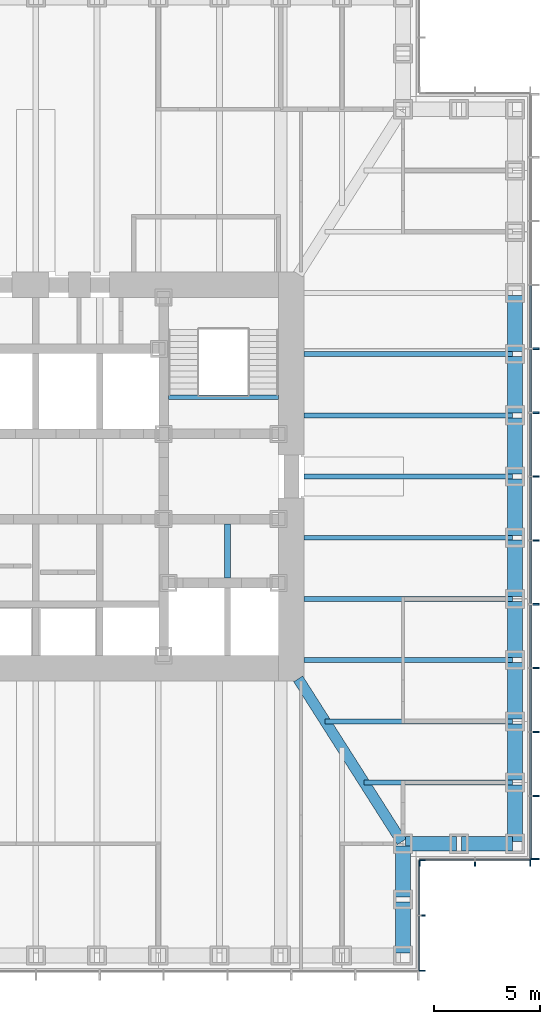
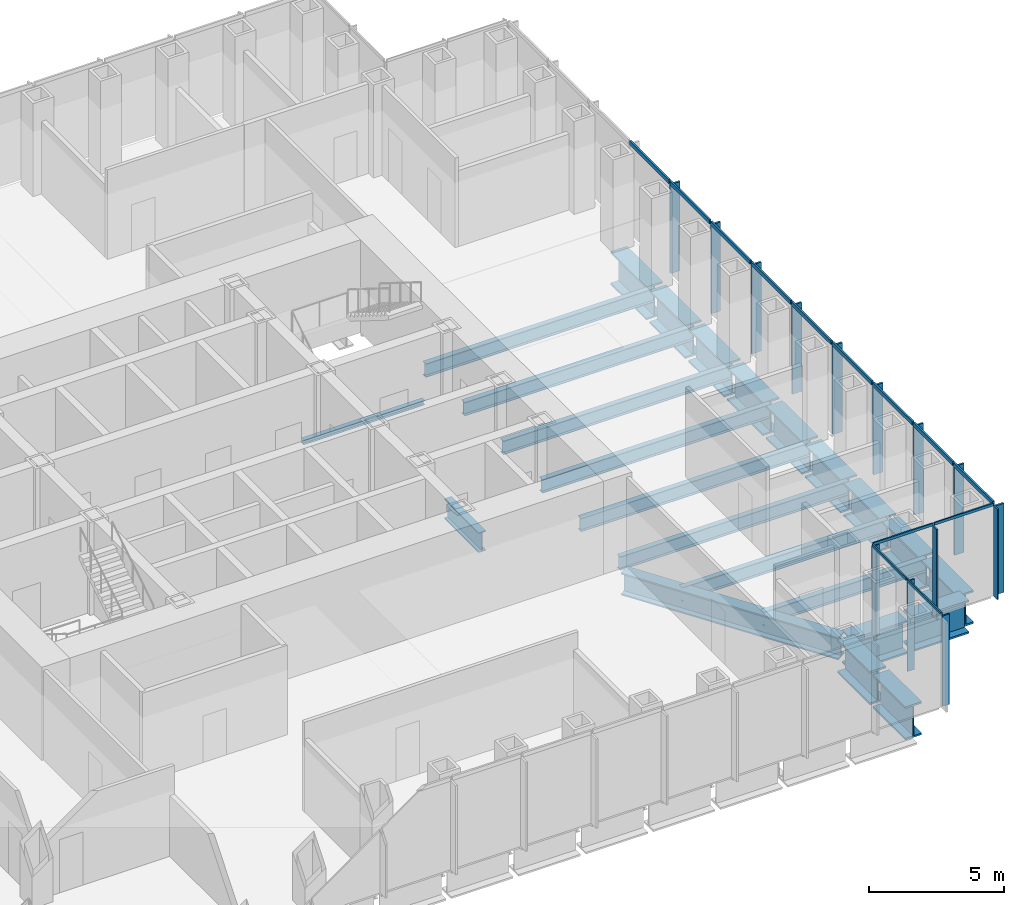
# One storey, part 4 of 17: 28 members, 24 beams, 3 elements without a shape of their own.
"""IFC4 building model written with IfcOpenShell, lengths in metres."""

from ifc_helpers import new_model, si_unit, direction, frame, origin, origin_2d, place, context, subcontext, project, spatial, rectangle, i_section, extrude, material, material_profile, profile_set, type_object, element, aggregate, save


model = new_model("IFC4")

# Units and contexts
model_context = context("Model", 3, precision=1e-05, world=origin(), true_north=direction((0.0, 1.0)))
body_context = subcontext(model_context, "Body", "Model", "MODEL_VIEW")
ifc_project = project(units=[si_unit("LENGTHUNIT", "METRE"), si_unit("AREAUNIT", "SQUARE_METRE"), si_unit("VOLUMEUNIT", "CUBIC_METRE"), si_unit("PLANEANGLEUNIT", "RADIAN"), si_unit("MASSUNIT", "GRAM", prefix="KILO")], contexts=[model_context])

# Site, building, storey
site_placement = place(None, origin())
site = spatial("IfcSite", under=ifc_project, at=site_placement, CompositionType="ELEMENT")
building_placement = place(site_placement, origin())
building = spatial("IfcBuilding", under=site, at=building_placement, Name="Daluyong Arena Tower", CompositionType="ELEMENT")
storey_placement = place(building_placement, frame((0.0, 0.0, 150.10009765625)))
storey = spatial("IfcBuildingStorey", under=building, at=storey_placement, Name="L33", CompositionType="ELEMENT", Elevation=150.10009765625)

# Curtain wall, members
ifc_material_1 = material(Name="Bronze anodised aluminium and glass", Category="aluminium")
curtain_wall_type_1 = type_object("IfcCurtainWallType", Name="Curtain wall CW2", PredefinedType="USERDEFINED", material=ifc_material_1)
curtain_wall_1_placement = place(storey_placement, origin())
curtain_wall_1 = element("IfcCurtainWall", 1, at=curtain_wall_1_placement, inside=storey, type_object=curtain_wall_type_1, Name="curtain wall L33 E", ObjectType="UNITISED CURTAIN WALL", PredefinedType="USERDEFINED")
ifc_material_2 = material(Name="Bronze anodised aluminium fin", Category="aluminium")
ifc_material_profile_1 = material_profile(ifc_material_2, rectangle(XDim=0.39990234375, YDim=0.080078125, at=origin_2d()))
ifc_profile_set_1 = profile_set([ifc_material_profile_1], Name="Bronze anodised aluminium fin")
member_type_1 = type_object("IfcMemberType", Name="CW2 bronze fin 400x80", PredefinedType="MULLION", material=ifc_profile_set_1)
member_1_placement = place(storey_placement, frame((79.449951171875, 62.0400390625, 0.0), z_axis=(0.0, 0.0, 1.0), x_axis=(-1.0, 0.0, 0.0)))
member_1 = element("IfcMember", 2, at=member_1_placement, type_object=member_type_1, Name="curtain wall L33 E fin 1", PredefinedType="MULLION", context=body_context, shape_type="SweptSolid", body=[
    extrude(rectangle(XDim=0.39990234375, YDim=0.080078125, at=origin_2d()), origin(), (0.0, 0.0, 1.0), 4.02001953125),
])
member_2_placement = place(storey_placement, frame((79.449951171875, 65.0, 0.0), z_axis=(0.0, 0.0, 1.0), x_axis=(-1.0, 0.0, 0.0)))
member_2 = element("IfcMember", 3, at=member_2_placement, type_object=member_type_1, Name="curtain wall L33 E fin 2", PredefinedType="MULLION", context=body_context, shape_type="SweptSolid", body=[
    extrude(rectangle(XDim=0.39990234375, YDim=0.080078125, at=origin_2d()), origin(), (0.0, 0.0, 1.0), 4.02001953125),
])
member_3_placement = place(storey_placement, frame((79.449951171875, 68.0, 0.0), z_axis=(0.0, 0.0, 1.0), x_axis=(-1.0, 0.0, 0.0)))
member_3 = element("IfcMember", 4, at=member_3_placement, type_object=member_type_1, Name="curtain wall L33 E fin 3", PredefinedType="MULLION", context=body_context, shape_type="SweptSolid", body=[
    extrude(rectangle(XDim=0.39990234375, YDim=0.080078125, at=origin_2d()), origin(), (0.0, 0.0, 1.0), 4.02001953125),
])
member_4_placement = place(storey_placement, frame((79.449951171875, 71.0, 0.0), z_axis=(0.0, 0.0, 1.0), x_axis=(-1.0, 0.0, 0.0)))
member_4 = element("IfcMember", 5, at=member_4_placement, type_object=member_type_1, Name="curtain wall L33 E fin 4", PredefinedType="MULLION", context=body_context, shape_type="SweptSolid", body=[
    extrude(rectangle(XDim=0.39990234375, YDim=0.080078125, at=origin_2d()), origin(), (0.0, 0.0, 1.0), 4.02001953125),
])
member_5_placement = place(storey_placement, frame((79.449951171875, 74.0, 0.0), z_axis=(0.0, 0.0, 1.0), x_axis=(-1.0, 0.0, 0.0)))
member_5 = element("IfcMember", 6, at=member_5_placement, type_object=member_type_1, Name="curtain wall L33 E fin 5", PredefinedType="MULLION", context=body_context, shape_type="SweptSolid", body=[
    extrude(rectangle(XDim=0.39990234375, YDim=0.080078125, at=origin_2d()), origin(), (0.0, 0.0, 1.0), 4.02001953125),
])
member_6_placement = place(storey_placement, frame((79.449951171875, 77.0, 0.0), z_axis=(0.0, 0.0, 1.0), x_axis=(-1.0, 0.0, 0.0)))
member_6 = element("IfcMember", 7, at=member_6_placement, type_object=member_type_1, Name="curtain wall L33 E fin 6", PredefinedType="MULLION", context=body_context, shape_type="SweptSolid", body=[
    extrude(rectangle(XDim=0.39990234375, YDim=0.080078125, at=origin_2d()), origin(), (0.0, 0.0, 1.0), 4.02001953125),
])
member_7_placement = place(storey_placement, frame((79.449951171875, 80.0, 0.0), z_axis=(0.0, 0.0, 1.0), x_axis=(-1.0, 0.0, 0.0)))
member_7 = element("IfcMember", 8, at=member_7_placement, type_object=member_type_1, Name="curtain wall L33 E fin 7", PredefinedType="MULLION", context=body_context, shape_type="SweptSolid", body=[
    extrude(rectangle(XDim=0.39990234375, YDim=0.080078125, at=origin_2d()), origin(), (0.0, 0.0, 1.0), 4.02001953125),
])
member_8_placement = place(storey_placement, frame((79.449951171875, 83.0, 0.0), z_axis=(0.0, 0.0, 1.0), x_axis=(-1.0, 0.0, 0.0)))
member_8 = element("IfcMember", 9, at=member_8_placement, type_object=member_type_1, Name="curtain wall L33 E fin 8", PredefinedType="MULLION", context=body_context, shape_type="SweptSolid", body=[
    extrude(rectangle(XDim=0.39990234375, YDim=0.080078125, at=origin_2d()), origin(), (0.0, 0.0, 1.0), 4.02001953125),
])
member_9_placement = place(storey_placement, frame((79.449951171875, 86.0, 0.0), z_axis=(0.0, 0.0, 1.0), x_axis=(-1.0, 0.0, 0.0)))
member_9 = element("IfcMember", 10, at=member_9_placement, type_object=member_type_1, Name="curtain wall L33 E fin 9", PredefinedType="MULLION", context=body_context, shape_type="SweptSolid", body=[
    extrude(rectangle(XDim=0.39990234375, YDim=0.080078125, at=origin_2d()), origin(), (0.0, 0.0, 1.0), 4.02001953125),
])
ifc_material_3 = material(Name="Bronze anodised aluminium", Category="aluminium")
ifc_material_profile_2 = material_profile(ifc_material_3, rectangle(XDim=0.080078125, YDim=0.179931640625, at=origin_2d()))
ifc_profile_set_2 = profile_set([ifc_material_profile_2], Name="Bronze anodised aluminium")
member_type_2 = type_object("IfcMemberType", Name="CW2 stack transom 180x80", PredefinedType="USERDEFINED", material=ifc_profile_set_2)
member_10_placement = place(storey_placement, frame((79.25, 62.080078125, 4.10986328125), z_axis=(0.0, 1.0, 0.0), x_axis=(-1.0, 0.0, 0.0)))
member_10 = element("IfcMember", 11, at=member_10_placement, type_object=member_type_2, Name="curtain wall L33 E transom 1", ObjectType="TRANSOM", PredefinedType="USERDEFINED", context=body_context, shape_type="SweptSolid", body=[
    extrude(rectangle(XDim=0.080078125, YDim=0.179931640625, at=origin_2d()), origin(), (0.0, 0.0, 1.0), 2.8798828125),
])
member_11_placement = place(storey_placement, frame((79.25, 65.0400390625, 4.10986328125), z_axis=(0.0, 1.0, 0.0), x_axis=(-1.0, 0.0, 0.0)))
member_11 = element("IfcMember", 12, at=member_11_placement, type_object=member_type_2, Name="curtain wall L33 E transom 2", ObjectType="TRANSOM", PredefinedType="USERDEFINED", context=body_context, shape_type="SweptSolid", body=[
    extrude(rectangle(XDim=0.080078125, YDim=0.179931640625, at=origin_2d()), origin(), (0.0, 0.0, 1.0), 2.919921875),
])
member_12_placement = place(storey_placement, frame((79.25, 68.0400390625, 4.10986328125), z_axis=(0.0, 1.0, 0.0), x_axis=(-1.0, 0.0, 0.0)))
member_12 = element("IfcMember", 13, at=member_12_placement, type_object=member_type_2, Name="curtain wall L33 E transom 3", ObjectType="TRANSOM", PredefinedType="USERDEFINED", context=body_context, shape_type="SweptSolid", body=[
    extrude(rectangle(XDim=0.080078125, YDim=0.179931640625, at=origin_2d()), origin(), (0.0, 0.0, 1.0), 2.919921875),
])
member_13_placement = place(storey_placement, frame((79.25, 71.0400390625, 4.10986328125), z_axis=(0.0, 1.0, 0.0), x_axis=(-1.0, 0.0, 0.0)))
member_13 = element("IfcMember", 14, at=member_13_placement, type_object=member_type_2, Name="curtain wall L33 E transom 4", ObjectType="TRANSOM", PredefinedType="USERDEFINED", context=body_context, shape_type="SweptSolid", body=[
    extrude(rectangle(XDim=0.080078125, YDim=0.179931640625, at=origin_2d()), origin(), (0.0, 0.0, 1.0), 2.919921875),
])
member_14_placement = place(storey_placement, frame((79.25, 74.0400390625, 4.10986328125), z_axis=(0.0, 1.0, 0.0), x_axis=(-1.0, 0.0, 0.0)))
member_14 = element("IfcMember", 15, at=member_14_placement, type_object=member_type_2, Name="curtain wall L33 E transom 5", ObjectType="TRANSOM", PredefinedType="USERDEFINED", context=body_context, shape_type="SweptSolid", body=[
    extrude(rectangle(XDim=0.080078125, YDim=0.179931640625, at=origin_2d()), origin(), (0.0, 0.0, 1.0), 2.919921875),
])
member_15_placement = place(storey_placement, frame((79.25, 77.0400390625, 4.10986328125), z_axis=(0.0, 1.0, 0.0), x_axis=(-1.0, 0.0, 0.0)))
member_15 = element("IfcMember", 16, at=member_15_placement, type_object=member_type_2, Name="curtain wall L33 E transom 6", ObjectType="TRANSOM", PredefinedType="USERDEFINED", context=body_context, shape_type="SweptSolid", body=[
    extrude(rectangle(XDim=0.080078125, YDim=0.179931640625, at=origin_2d()), origin(), (0.0, 0.0, 1.0), 2.919921875),
])
member_16_placement = place(storey_placement, frame((79.25, 80.0400390625, 4.10986328125), z_axis=(0.0, 1.0, 0.0), x_axis=(-1.0, 0.0, 0.0)))
member_16 = element("IfcMember", 17, at=member_16_placement, type_object=member_type_2, Name="curtain wall L33 E transom 7", ObjectType="TRANSOM", PredefinedType="USERDEFINED", context=body_context, shape_type="SweptSolid", body=[
    extrude(rectangle(XDim=0.080078125, YDim=0.179931640625, at=origin_2d()), origin(), (0.0, 0.0, 1.0), 2.919921875),
])
member_17_placement = place(storey_placement, frame((79.25, 83.0400390625, 4.10986328125), z_axis=(0.0, 1.0, 0.0), x_axis=(-1.0, 0.0, 0.0)))
member_17 = element("IfcMember", 18, at=member_17_placement, type_object=member_type_2, Name="curtain wall L33 E transom 8", ObjectType="TRANSOM", PredefinedType="USERDEFINED", context=body_context, shape_type="SweptSolid", body=[
    extrude(rectangle(XDim=0.080078125, YDim=0.179931640625, at=origin_2d()), origin(), (0.0, 0.0, 1.0), 2.919921875),
])
member_18_placement = place(storey_placement, frame((79.25, 86.0400390625, 4.10986328125), z_axis=(0.0, 1.0, 0.0), x_axis=(-1.0, 0.0, 0.0)))
member_18 = element("IfcMember", 19, at=member_18_placement, type_object=member_type_2, Name="curtain wall L33 E transom 9", ObjectType="TRANSOM", PredefinedType="USERDEFINED", context=body_context, shape_type="SweptSolid", body=[
    extrude(rectangle(XDim=0.080078125, YDim=0.179931640625, at=origin_2d()), origin(), (0.0, 0.0, 1.0), 2.919921875),
])
aggregate(curtain_wall_1, [member_1, member_2, member_3, member_4, member_5, member_6, member_7, member_8, member_9, member_10, member_11, member_12, member_13, member_14, member_15, member_16, member_17, member_18])

ifc_material_4 = material(Name="Bronze anodised aluminium and glass", Category="aluminium")
curtain_wall_type_2 = type_object("IfcCurtainWallType", Name="Curtain wall CW7", PredefinedType="USERDEFINED", material=ifc_material_4)
curtain_wall_2_placement = place(storey_placement, origin())
curtain_wall_2 = element("IfcCurtainWall", 20, at=curtain_wall_2_placement, inside=storey, type_object=curtain_wall_type_2, Name="curtain wall L33 SE-E", ObjectType="UNITISED CURTAIN WALL", PredefinedType="USERDEFINED")
ifc_material_5 = material(Name="Bronze anodised aluminium fin", Category="aluminium")
ifc_material_profile_3 = material_profile(ifc_material_5, rectangle(XDim=0.300048828125, YDim=0.06005859375, at=origin_2d()))
ifc_profile_set_3 = profile_set([ifc_material_profile_3], Name="Bronze anodised aluminium fin")
member_type_3 = type_object("IfcMemberType", Name="CW7 bronze fin 300x60", PredefinedType="MULLION", material=ifc_profile_set_3)
member_19_placement = place(storey_placement, frame((74.14990234375, 56.780029296875, 0.0), z_axis=(0.0, 0.0, 1.0), x_axis=(-1.0, 0.0, 0.0)))
member_19 = element("IfcMember", 21, at=member_19_placement, type_object=member_type_3, Name="curtain wall L33 SE-E fin 1", PredefinedType="MULLION", context=body_context, shape_type="SweptSolid", body=[
    extrude(rectangle(XDim=0.300048828125, YDim=0.06005859375, at=origin_2d()), origin(), (0.0, 0.0, 1.0), 4.079833984375),
])
member_20_placement = place(storey_placement, frame((74.14990234375, 59.375, 0.0), z_axis=(0.0, 0.0, 1.0), x_axis=(-1.0, 0.0, 0.0)))
member_20 = element("IfcMember", 22, at=member_20_placement, type_object=member_type_3, Name="curtain wall L33 SE-E fin 2", PredefinedType="MULLION", context=body_context, shape_type="SweptSolid", body=[
    extrude(rectangle(XDim=0.300048828125, YDim=0.06005859375, at=origin_2d()), origin(), (0.0, 0.0, 1.0), 4.079833984375),
])
member_21_placement = place(storey_placement, frame((74.14990234375, 61.969970703125, 0.0), z_axis=(0.0, 0.0, 1.0), x_axis=(-1.0, 0.0, 0.0)))
member_21 = element("IfcMember", 23, at=member_21_placement, type_object=member_type_3, Name="curtain wall L33 SE-E fin 3", PredefinedType="MULLION", context=body_context, shape_type="SweptSolid", body=[
    extrude(rectangle(XDim=0.300048828125, YDim=0.06005859375, at=origin_2d()), origin(), (0.0, 0.0, 1.0), 4.079833984375),
])

curtain_wall_3_placement = place(storey_placement, origin())
curtain_wall_3 = element("IfcCurtainWall", 24, at=curtain_wall_3_placement, inside=storey, type_object=curtain_wall_type_2, Name="curtain wall L33 SE-S", ObjectType="UNITISED CURTAIN WALL", PredefinedType="USERDEFINED")
member_22_placement = place(storey_placement, frame((74.030029296875, 61.85009765625, 0.0), z_axis=(0.0, 0.0, 1.0), x_axis=(0.0, 1.0, 0.0)))
member_22 = element("IfcMember", 25, at=member_22_placement, type_object=member_type_3, Name="curtain wall L33 SE-S fin 1", PredefinedType="MULLION", context=body_context, shape_type="SweptSolid", body=[
    extrude(rectangle(XDim=0.300048828125, YDim=0.06005859375, at=origin_2d()), origin(), (0.0, 0.0, 1.0), 4.079833984375),
])
member_23_placement = place(storey_placement, frame((76.625, 61.85009765625, 0.0), z_axis=(0.0, 0.0, 1.0), x_axis=(0.0, 1.0, 0.0)))
member_23 = element("IfcMember", 26, at=member_23_placement, type_object=member_type_3, Name="curtain wall L33 SE-S fin 2", PredefinedType="MULLION", context=body_context, shape_type="SweptSolid", body=[
    extrude(rectangle(XDim=0.300048828125, YDim=0.06005859375, at=origin_2d()), origin(), (0.0, 0.0, 1.0), 4.079833984375),
])
member_24_placement = place(storey_placement, frame((79.219970703125, 61.85009765625, 0.0), z_axis=(0.0, 0.0, 1.0), x_axis=(0.0, 1.0, 0.0)))
member_24 = element("IfcMember", 27, at=member_24_placement, type_object=member_type_3, Name="curtain wall L33 SE-S fin 3", PredefinedType="MULLION", context=body_context, shape_type="SweptSolid", body=[
    extrude(rectangle(XDim=0.300048828125, YDim=0.06005859375, at=origin_2d()), origin(), (0.0, 0.0, 1.0), 4.079833984375),
])

# Member
ifc_material_6 = material(Name="Bronze anodised aluminium", Category="aluminium")
ifc_material_profile_4 = material_profile(ifc_material_6, rectangle(XDim=0.06005859375, YDim=0.1201171875, at=origin_2d()))
ifc_profile_set_4 = profile_set([ifc_material_profile_4], Name="Bronze anodised aluminium")
member_type_4 = type_object("IfcMemberType", Name="CW7 stack transom 120x60", PredefinedType="USERDEFINED", material=ifc_profile_set_4)
member_25_placement = place(storey_placement, frame((74.0, 56.81005859375, 4.139892578125), z_axis=(0.0, 1.0, 0.0), x_axis=(-1.0, 0.0, 0.0)))
member_25 = element("IfcMember", 28, at=member_25_placement, type_object=member_type_4, Name="curtain wall L33 SE-E transom 1", ObjectType="TRANSOM", PredefinedType="USERDEFINED", context=body_context, shape_type="SweptSolid", body=[
    extrude(rectangle(XDim=0.06005859375, YDim=0.1201171875, at=origin_2d()), origin(), (0.0, 0.0, 1.0), 2.534912109375),
])

member_26_placement = place(storey_placement, frame((74.0, 59.405029296875, 4.139892578125), z_axis=(0.0, 1.0, 0.0), x_axis=(-1.0, 0.0, 0.0)))
member_26 = element("IfcMember", 29, at=member_26_placement, type_object=member_type_4, Name="curtain wall L33 SE-E transom 2", ObjectType="TRANSOM", PredefinedType="USERDEFINED", context=body_context, shape_type="SweptSolid", body=[
    extrude(rectangle(XDim=0.06005859375, YDim=0.1201171875, at=origin_2d()), origin(), (0.0, 0.0, 1.0), 2.534912109375),
])

aggregate(curtain_wall_2, [member_19, member_20, member_21, member_25, member_26])

member_27_placement = place(storey_placement, frame((74.06005859375, 62.0, 4.139892578125), z_axis=(1.0, 0.0, 0.0), x_axis=(0.0, 1.0, 0.0)))
member_27 = element("IfcMember", 30, at=member_27_placement, type_object=member_type_4, Name="curtain wall L33 SE-S transom 1", ObjectType="TRANSOM", PredefinedType="USERDEFINED", context=body_context, shape_type="SweptSolid", body=[
    extrude(rectangle(XDim=0.06005859375, YDim=0.1201171875, at=origin_2d()), origin(), (0.0, 0.0, 1.0), 2.534912109375),
])

member_28_placement = place(storey_placement, frame((76.655029296875, 62.0, 4.139892578125), z_axis=(1.0, 0.0, 0.0), x_axis=(0.0, 1.0, 0.0)))
member_28 = element("IfcMember", 31, at=member_28_placement, type_object=member_type_4, Name="curtain wall L33 SE-S transom 2", ObjectType="TRANSOM", PredefinedType="USERDEFINED", context=body_context, shape_type="SweptSolid", body=[
    extrude(rectangle(XDim=0.06005859375, YDim=0.1201171875, at=origin_2d()), origin(), (0.0, 0.0, 1.0), 2.534912109375),
])

aggregate(curtain_wall_3, [member_22, member_23, member_24, member_27, member_28])

# Beams
ifc_material_7 = material(Name="Steel ASTM A572 Grade 50", Category="steel")
ifc_material_profile_5 = material_profile(ifc_material_7, i_section(OverallWidth=0.5, OverallDepth=1.0, WebThickness=0.03, FlangeThickness=0.06, at=origin_2d()))
ifc_profile_set_5 = profile_set([ifc_material_profile_5], Name="Steel ASTM A572 Grade 50")
beam_type_1 = type_object("IfcBeamType", Name="Corner girder TB1000X500", PredefinedType="BEAM", material=ifc_profile_set_5)
beam_1_placement = place(storey_placement, frame((73.188232421875, 62.846923828125, -0.66015625), z_axis=(-0.536872006459, 0.843663705916, 0.0), x_axis=(-0.843663705916, -0.536872006459, 0.0)))
element("IfcBeam", 32, at=beam_1_placement, inside=storey, type_object=beam_type_1, Name="corner girder DG2", PredefinedType="BEAM", context=body_context, shape_type="SweptSolid", body=[
    extrude(i_section(OverallWidth=0.5, OverallDepth=1.0, WebThickness=0.03, FlangeThickness=0.06, at=origin_2d()), origin(), (0.0, 0.0, 1.0), 9.06396484375),
])
ifc_material_8 = material(Name="Steel ASTM A992 Grade 50", Category="steel")
ifc_material_profile_6 = material_profile(ifc_material_8, i_section(OverallWidth=0.22900390625, OverallDepth=0.612060546875, WebThickness=0.011962890625, FlangeThickness=0.01953125, at=origin_2d()))
ifc_profile_set_6 = profile_set([ifc_material_profile_6], Name="Steel ASTM A992 Grade 50")
beam_type_2 = type_object("IfcBeamType", Name="Floor beam W24X84", PredefinedType="BEAM", material=ifc_profile_set_6)
beam_2_placement = place(storey_placement, frame((78.385009765625, 65.625, -0.466064453125), z_axis=(-1.0, 0.0, 0.0), x_axis=(0.0, -1.0, 0.0)))
element("IfcBeam", 33, at=beam_2_placement, inside=storey, type_object=beam_type_2, Name="floor beam FB3", PredefinedType="BEAM", context=body_context, shape_type="SweptSolid", body=[
    extrude(i_section(OverallWidth=0.22900390625, OverallDepth=0.612060546875, WebThickness=0.011962890625, FlangeThickness=0.01953125, at=origin_2d()), origin(), (0.0, 0.0, 1.0), 6.964599609375),
])
beam_3_placement = place(storey_placement, frame((78.385009765625, 68.5, -0.466064453125), z_axis=(-1.0, 0.0, 0.0), x_axis=(0.0, -1.0, 0.0)))
element("IfcBeam", 34, at=beam_3_placement, inside=storey, type_object=beam_type_2, Name="floor beam FB3", PredefinedType="BEAM", context=body_context, shape_type="SweptSolid", body=[
    extrude(i_section(OverallWidth=0.22900390625, OverallDepth=0.612060546875, WebThickness=0.011962890625, FlangeThickness=0.01953125, at=origin_2d()), origin(), (0.0, 0.0, 1.0), 8.794189453125),
])
for number, where, z_axis, x_axis, name in (
    (35, (78.385009765625, 71.375, -0.466064453125), (-1.0, 0.0, 0.0), (0.0, -1.0, 0.0), "floor beam FB3"),
    (36, (78.385009765625, 74.25, -0.466064453125), (-1.0, 0.0, 0.0), (0.0, -1.0, 0.0), "floor beam FB3"),
    (37, (78.385009765625, 77.125, -0.466064453125), (-1.0, 0.0, 0.0), (0.0, -1.0, 0.0), "floor beam FB3"),
    (38, (78.385009765625, 80.0, -0.466064453125), (-1.0, 0.0, 0.0), (0.0, -1.0, 0.0), "floor beam FB3"),
    (39, (78.385009765625, 82.875, -0.466064453125), (-1.0, 0.0, 0.0), (0.0, -1.0, 0.0), "floor beam FB3"),
    (40, (78.385009765625, 85.75, -0.466064453125), (-1.0, 0.0, 0.0), (0.0, -1.0, 0.0), "floor beam FB3"),
):
    element("IfcBeam", number, at=place(storey_placement, frame(where, z_axis=z_axis, x_axis=x_axis)), inside=storey, type_object=beam_type_2, Name=name, PredefinedType="BEAM", context=body_context, shape_type="SweptSolid", body=[
        extrude(i_section(OverallWidth=0.22900390625, OverallDepth=0.612060546875, WebThickness=0.011962890625, FlangeThickness=0.01953125, at=origin_2d()), origin(), (0.0, 0.0, 1.0), 9.784912109375),
    ])
ifc_material_9 = material(Name="Steel ASTM A572 Grade 50", Category="steel")
ifc_material_profile_7 = material_profile(ifc_material_9, i_section(OverallWidth=0.300048828125, OverallDepth=0.89990234375, WebThickness=0.025, FlangeThickness=0.04, at=origin_2d()))
ifc_profile_set_7 = profile_set([ifc_material_profile_7], Name="Steel ASTM A572 Grade 50")
beam_type_3 = type_object("IfcBeamType", Name="Lift divider beam PG900X300", PredefinedType="BEAM", material=ifc_profile_set_7)
beam_4_placement = place(storey_placement, frame((65.0, 75.22509765625, -0.610107421875), z_axis=(0.0, 1.0, 0.0), x_axis=(-1.0, 0.0, 0.0)))
element("IfcBeam", 41, at=beam_4_placement, inside=storey, type_object=beam_type_3, Name="lift divider beam DB1", PredefinedType="BEAM", context=body_context, shape_type="SweptSolid", body=[
    extrude(i_section(OverallWidth=0.300048828125, OverallDepth=0.89990234375, WebThickness=0.025, FlangeThickness=0.04, at=origin_2d()), origin(), (0.0, 0.0, 1.0), 2.5498046875),
])
ifc_material_10 = material(Name="Steel ASTM A572 Grade 50", Category="steel")
ifc_material_profile_8 = material_profile(ifc_material_10, i_section(OverallWidth=0.699951171875, OverallDepth=1.5, WebThickness=0.04, FlangeThickness=0.08, at=origin_2d()))
ifc_profile_set_8 = profile_set([ifc_material_profile_8], Name="Steel ASTM A572 Grade 50")
beam_type_4 = type_object("IfcBeamType", Name="Spandrel Z2 PG1500X700", PredefinedType="SPANDREL", material=ifc_profile_set_8)
for number, where, z_axis, x_axis, name in (
    (42, (73.25, 57.614990234375, -0.91015625), (0.0, 1.0, 0.0), (-1.0, 0.0, 0.0), "spandrel z2 SB6"),
    (43, (73.25, 60.239990234375, -0.91015625), (0.0, 1.0, 0.0), (-1.0, 0.0, 0.0), "spandrel z2 SB6"),
    (44, (73.364990234375, 62.75, -0.91015625), (1.0, 0.0, 0.0), (0.0, 1.0, 0.0), "spandrel z2 SB6"),
    (45, (75.989990234375, 62.75, -0.91015625), (1.0, 0.0, 0.0), (0.0, 1.0, 0.0), "spandrel z2 SB6"),
):
    element("IfcBeam", number, at=place(storey_placement, frame(where, z_axis=z_axis, x_axis=x_axis)), inside=storey, type_object=beam_type_4, Name=name, PredefinedType="SPANDREL", context=body_context, shape_type="SweptSolid", body=[
        extrude(i_section(OverallWidth=0.699951171875, OverallDepth=1.5, WebThickness=0.04, FlangeThickness=0.08, at=origin_2d()), origin(), (0.0, 0.0, 1.0), 2.39501953125),
    ])
for number, where, z_axis, x_axis, name in (
    (46, (78.5, 62.864990234375, -0.91015625), (0.0, 1.0, 0.0), (-1.0, 0.0, 0.0), "spandrel z2 SB6"),
    (47, (78.5, 65.739990234375, -0.91015625), (0.0, 1.0, 0.0), (-1.0, 0.0, 0.0), "spandrel z2 SB6"),
    (48, (78.5, 68.614990234375, -0.91015625), (0.0, 1.0, 0.0), (-1.0, 0.0, 0.0), "spandrel z2 SB6"),
    (49, (78.5, 71.489990234375, -0.91015625), (0.0, 1.0, 0.0), (-1.0, 0.0, 0.0), "spandrel z2 SB6"),
    (50, (78.5, 74.364990234375, -0.91015625), (0.0, 1.0, 0.0), (-1.0, 0.0, 0.0), "spandrel z2 SB6"),
    (51, (78.5, 77.239990234375, -0.91015625), (0.0, 1.0, 0.0), (-1.0, 0.0, 0.0), "spandrel z2 SB6"),
    (52, (78.5, 80.114990234375, -0.91015625), (0.0, 1.0, 0.0), (-1.0, 0.0, 0.0), "spandrel z2 SB6"),
    (53, (78.5, 82.989990234375, -0.91015625), (0.0, 1.0, 0.0), (-1.0, 0.0, 0.0), "spandrel z2 SB6"),
    (54, (78.5, 85.864990234375, -0.91015625), (0.0, 1.0, 0.0), (-1.0, 0.0, 0.0), "spandrel z2 SB6"),
):
    element("IfcBeam", number, at=place(storey_placement, frame(where, z_axis=z_axis, x_axis=x_axis)), inside=storey, type_object=beam_type_4, Name=name, PredefinedType="SPANDREL", context=body_context, shape_type="SweptSolid", body=[
        extrude(i_section(OverallWidth=0.699951171875, OverallDepth=1.5, WebThickness=0.04, FlangeThickness=0.08, at=origin_2d()), origin(), (0.0, 0.0, 1.0), 2.64501953125),
    ])
ifc_material_11 = material(Name="Steel ASTM A992 Grade 50", Category="steel")
ifc_material_profile_9 = material_profile(ifc_material_11, i_section(OverallWidth=0.203125, OverallDepth=0.203125, WebThickness=0.00732421875, FlangeThickness=0.010986328125, at=origin_2d()))
ifc_profile_set_9 = profile_set([ifc_material_profile_9], Name="Steel ASTM A992 Grade 50")
beam_type_5 = type_object("IfcBeamType", Name="Stair landing beam W8X31", PredefinedType="BEAM", material=ifc_profile_set_9)
beam_5_placement = place(storey_placement, frame((62.22509765625, 83.723388671875, -0.26171875), z_axis=(1.0, 0.0, 0.0), x_axis=(0.0, 1.0, 0.0)))
element("IfcBeam", 55, at=beam_5_placement, inside=storey, type_object=beam_type_5, Name="exit stair B landing beam", PredefinedType="BEAM", context=body_context, shape_type="SweptSolid", body=[
    extrude(i_section(OverallWidth=0.203125, OverallDepth=0.203125, WebThickness=0.00732421875, FlangeThickness=0.010986328125, at=origin_2d()), origin(), (0.0, 0.0, 1.0), 5.1748046875),
])

save(model, "model.ifc")
